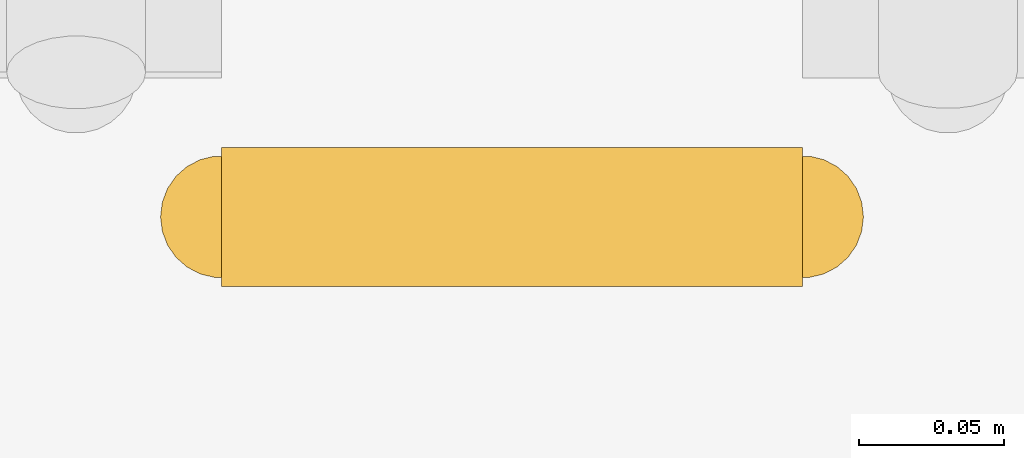
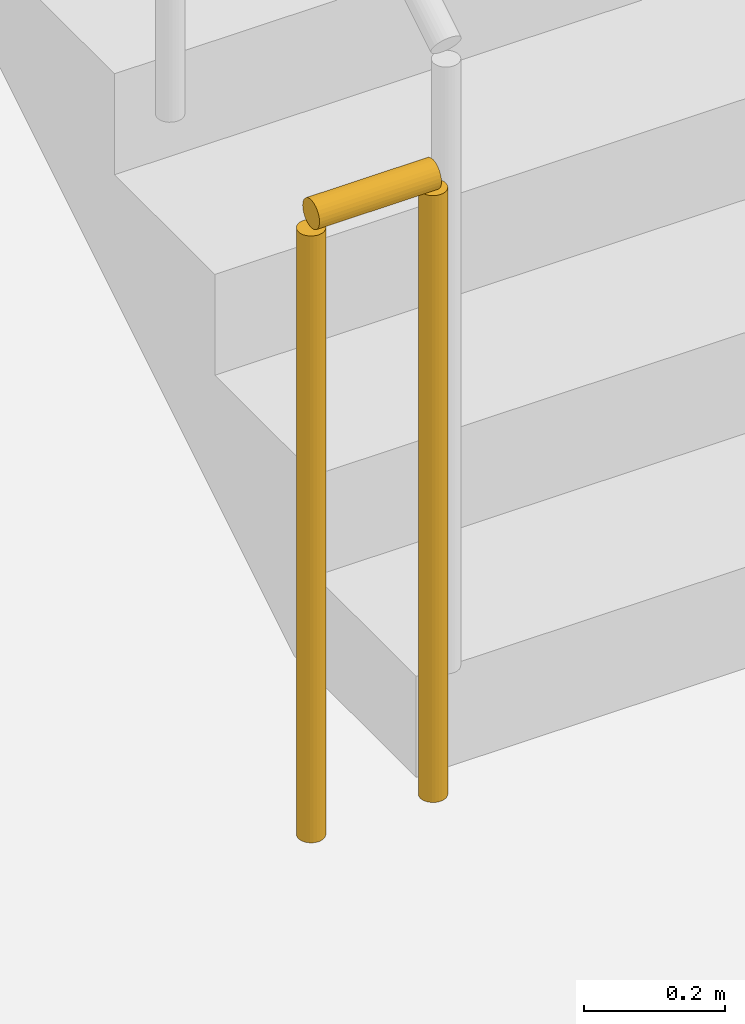
# One storey, part 29 of 32: 1 railing.
"""IFC4 building model written with IfcOpenShell, lengths in metres."""

from ifc_helpers import new_model, si_unit, direction, frame, origin, origin_2d, place, context, subcontext, project, spatial, circle, extrude, material, type_object, element, save


model = new_model("IFC4")

# Units and contexts
model_context = context("Model", 3, precision=1e-05, world=origin(), true_north=direction((0.0, 1.0)))
body_context = subcontext(model_context, "Body", "Model", "MODEL_VIEW")
ifc_project = project(units=[si_unit("LENGTHUNIT", "METRE"), si_unit("AREAUNIT", "SQUARE_METRE"), si_unit("VOLUMEUNIT", "CUBIC_METRE"), si_unit("PLANEANGLEUNIT", "RADIAN"), si_unit("MASSUNIT", "GRAM", prefix="KILO")], contexts=[model_context])

# Site, building, storey
site_placement = place(None, origin())
site = spatial("IfcSite", under=ifc_project, at=site_placement, CompositionType="ELEMENT")
building_placement = place(site_placement, origin())
building = spatial("IfcBuilding", under=site, at=building_placement, Name="Qelthora Terrace Specialist Clinic", CompositionType="ELEMENT")
storey_placement = place(building_placement, frame((0.0, 0.0, -4.199951171875)))
storey = spatial("IfcBuildingStorey", under=building, at=storey_placement, Name="B1", CompositionType="ELEMENT", Elevation=-4.199951171875)

# Railing
ifc_material = material(Name="Steel S355", Category="steel")
railing_type = type_object("IfcRailingType", Name="RAL-GD-1100-S355", PredefinedType="GUARDRAIL", material=ifc_material)
railing_placement = place(storey_placement, frame((39.699951171875, 94.35009765625, 0.0)))
element("IfcRailing", 1, at=railing_placement, inside=storey, type_object=railing_type, Name="B1 ST-02 stair guard 4", PredefinedType="GUARDRAIL", context=body_context, shape_type="SweptSolid", body=[
    extrude(circle(Radius=0.02392578125, at=origin_2d()), frame((0.0, 0.0, 1.076171875), z_axis=(-1.0, 0.0, 0.0), x_axis=(0.0, -1.0, 0.0)), (0.0, 0.0, 1.0), 0.199951171875),
    extrude(circle(Radius=0.02099609375, at=origin_2d()), origin(), (0.0, 0.0, 1.0), 1.052001953125),
    extrude(circle(Radius=0.02099609375, at=origin_2d()), frame((-0.199951171875, 0.0, 0.0)), (0.0, 0.0, 1.0), 1.052001953125),
])

save(model, "model.ifc")
